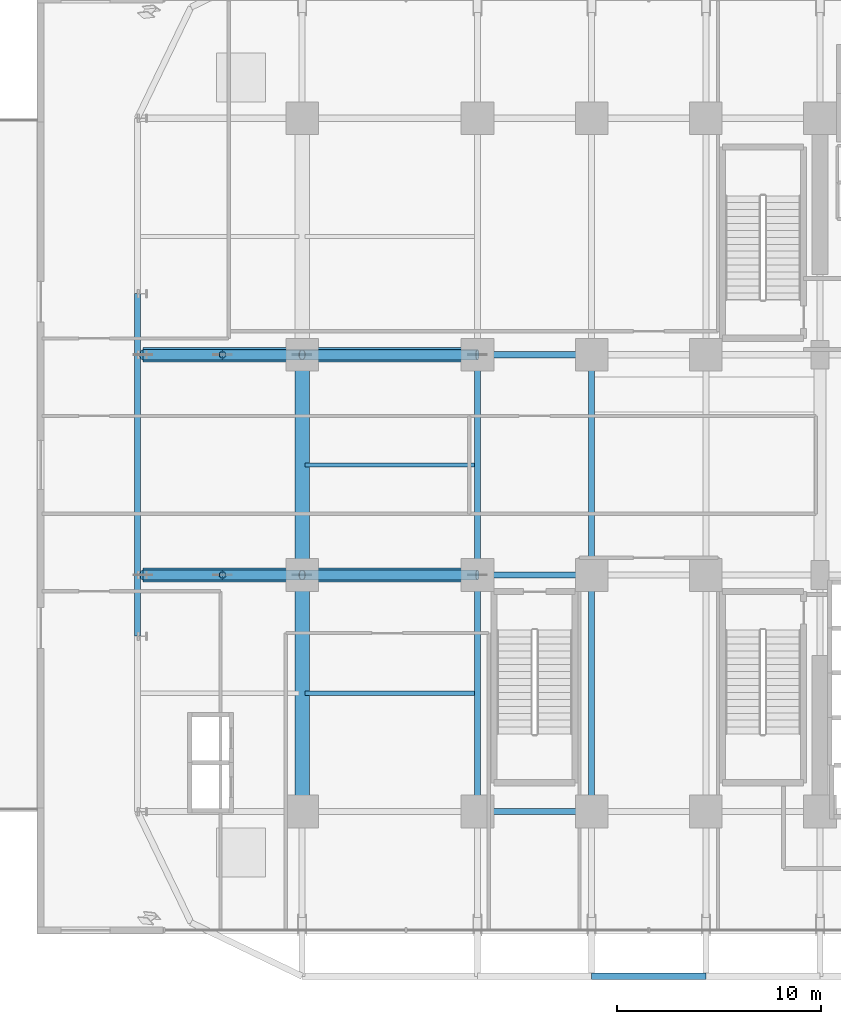
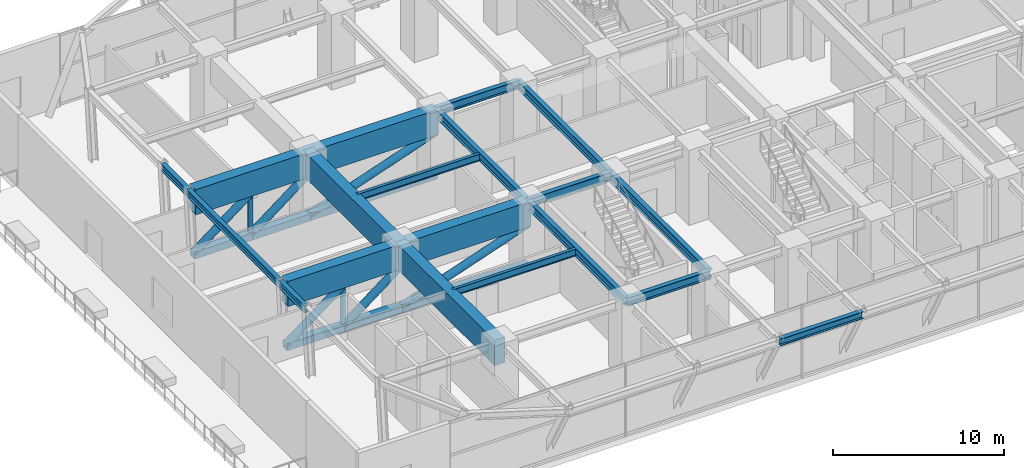
# One storey, part 5 of 29: 17 beams, 14 members.
"""IFC4 building model written with IfcOpenShell, lengths in metres."""

from ifc_helpers import new_model, si_unit, direction, frame, origin, origin_2d, place, context, subcontext, project, spatial, rectangle, hollow_rectangle, hollow_circle, i_section, extrude, source, transform, mapped, material, material_profile, profile_set, type_object, element, save


model = new_model("IFC4")

# Units and contexts
model_context = context("Model", 3, precision=1e-05, world=origin(), true_north=direction((0.0, 1.0)))
body_context = subcontext(model_context, "Body", "Model", "MODEL_VIEW")
ifc_project = project(units=[si_unit("LENGTHUNIT", "METRE"), si_unit("AREAUNIT", "SQUARE_METRE"), si_unit("VOLUMEUNIT", "CUBIC_METRE"), si_unit("PLANEANGLEUNIT", "RADIAN"), si_unit("MASSUNIT", "GRAM", prefix="KILO")], contexts=[model_context])

# Site, building, storey
site_placement = place(None, origin())
site = spatial("IfcSite", under=ifc_project, at=site_placement, CompositionType="ELEMENT")
building_placement = place(site_placement, origin())
building = spatial("IfcBuilding", under=site, at=building_placement, Name="Nahalor Promenade Grand Hotel", CompositionType="ELEMENT")
storey_placement = place(building_placement, frame((0.0, 0.0, 27.0)))
storey = spatial("IfcBuildingStorey", under=building, at=storey_placement, Name="L05", CompositionType="ELEMENT", Elevation=27.0)

# Beams
ifc_material_1 = material(Name="Steel S355JR", Category="steel")
ifc_material_profile_1 = material_profile(ifc_material_1, i_section(OverallWidth=0.3, OverallDepth=0.6, WebThickness=0.0155, FlangeThickness=0.03, at=origin_2d()), Name="HEB 600")
ifc_profile_set_1 = profile_set([ifc_material_profile_1], Name="Steel S355JR")
beam_type_1 = type_object("IfcBeamType", Name="Beam-Girder-HEB600", PredefinedType="BEAM", material=ifc_profile_set_1)
shared_shape_1 = source(origin(), body_context, "Body", "SweptSolid", [
    extrude(i_section(OverallWidth=0.3, OverallDepth=0.6, WebThickness=0.0155, FlangeThickness=0.03, at=origin_2d()), origin(), (0.0, 0.0, 1.0), 5.599853515625),
])
for number, where, z_axis, x_axis, name in (
    (1, (-8.39990234375, -17.0, 4.820068359375), (1.0, 0.0, 0.0), (0.0, 1.0, 0.0), "BM-L05-GX-0-2"),
    (2, (-8.39990234375, -5.39990234375, 4.820068359375), (1.0, 0.0, 0.0), (0.0, 1.0, 0.0), "BM-L05-GX-1-2"),
    (3, (-8.39990234375, 5.39990234375, 4.820068359375), (1.0, 0.0, 0.0), (0.0, 1.0, 0.0), "BM-L05-GX-2-2"),
):
    element("IfcBeam", number, at=place(storey_placement, frame(where, z_axis=z_axis, x_axis=x_axis)), inside=storey, type_object=beam_type_1, Name=name, PredefinedType="BEAM", context=body_context, shape_type="MappedRepresentation", body=[
        mapped(shared_shape_1, transform((0.0, 0.0, 0.0), scale=1.0)),
    ])
shared_shape_2 = source(origin(), body_context, "Body", "SweptSolid", [
    extrude(i_section(OverallWidth=0.3, OverallDepth=0.6, WebThickness=0.0155, FlangeThickness=0.03, at=origin_2d()), origin(), (0.0, 0.0, 1.0), 11.60009765625),
])
for number, where, z_axis, x_axis, name in (
    (4, (-8.39990234375, -17.0, 4.820068359375), (0.0, 1.0, 0.0), (-1.0, 0.0, 0.0), "BM-L05-GY-1-1"),
    (5, (-2.800048828125, -17.0, 4.820068359375), (0.0, 1.0, 0.0), (-1.0, 0.0, 0.0), "BM-L05-GY-2-1"),
):
    element("IfcBeam", number, at=place(storey_placement, frame(where, z_axis=z_axis, x_axis=x_axis)), inside=storey, type_object=beam_type_1, Name=name, PredefinedType="BEAM", context=body_context, shape_type="MappedRepresentation", body=[
        mapped(shared_shape_2, transform((0.0, 0.0, 0.0), scale=1.0)),
    ])
shared_shape_3 = source(origin(), body_context, "Body", "SweptSolid", [
    extrude(i_section(OverallWidth=0.3, OverallDepth=0.6, WebThickness=0.0155, FlangeThickness=0.03, at=origin_2d()), origin(), (0.0, 0.0, 1.0), 10.7998046875),
])
for number, where, z_axis, x_axis, name in (
    (6, (-8.39990234375, -5.39990234375, 4.820068359375), (0.0, 1.0, 0.0), (-1.0, 0.0, 0.0), "BM-L05-GY-1-2"),
    (7, (-2.800048828125, -5.39990234375, 4.820068359375), (0.0, 1.0, 0.0), (-1.0, 0.0, 0.0), "BM-L05-GY-2-2"),
):
    element("IfcBeam", number, at=place(storey_placement, frame(where, z_axis=z_axis, x_axis=x_axis)), inside=storey, type_object=beam_type_1, Name=name, PredefinedType="BEAM", context=body_context, shape_type="MappedRepresentation", body=[
        mapped(shared_shape_3, transform((0.0, 0.0, 0.0), scale=1.0)),
    ])
ifc_material_profile_2 = material_profile(ifc_material_1, i_section(OverallWidth=0.3, OverallDepth=0.5, WebThickness=0.0145, FlangeThickness=0.028, at=origin_2d()), Name="HEB 500")
ifc_profile_set_2 = profile_set([ifc_material_profile_2], Name="Steel S355JR")
beam_type_2 = type_object("IfcBeamType", Name="Beam-Spandrel-HEB500", PredefinedType="SPANDREL", material=ifc_profile_set_2)
shared_shape_4 = source(origin(), body_context, "Body", "SweptSolid", [
    extrude(i_section(OverallWidth=0.3, OverallDepth=0.5, WebThickness=0.0145, FlangeThickness=0.028, at=origin_2d()), origin(), (0.0, 0.0, 1.0), 5.60009765625),
])
beam_1_placement = place(storey_placement, frame((-2.800048828125, -25.080078125, 4.8701171875), z_axis=(1.0, 0.0, 0.0), x_axis=(0.0, 1.0, 0.0)))
element("IfcBeam", 8, at=beam_1_placement, inside=storey, type_object=beam_type_2, Name="BM-L05-SP-S-2", PredefinedType="SPANDREL", context=body_context, shape_type="MappedRepresentation", body=[
    mapped(shared_shape_4, transform((0.0, 0.0, 0.0), scale=1.0)),
])
shared_shape_5 = source(origin(), body_context, "Body", "SweptSolid", [
    extrude(i_section(OverallWidth=0.3, OverallDepth=0.5, WebThickness=0.0145, FlangeThickness=0.028, at=origin_2d()), origin(), (0.0, 0.0, 1.0), 3.0),
])
for number, where, z_axis, x_axis, name in (
    (9, (-25.080078125, -8.39990234375, 4.8701171875), (0.0, 1.0, 0.0), (-1.0, 0.0, 0.0), "BM-L05-SP-W-1"),
    (10, (-25.080078125, 5.39990234375, 4.8701171875), (0.0, 1.0, 0.0), (-1.0, 0.0, 0.0), "BM-L05-SP-W-3"),
):
    element("IfcBeam", number, at=place(storey_placement, frame(where, z_axis=z_axis, x_axis=x_axis)), inside=storey, type_object=beam_type_2, Name=name, PredefinedType="SPANDREL", context=body_context, shape_type="MappedRepresentation", body=[
        mapped(shared_shape_5, transform((0.0, 0.0, 0.0), scale=1.0)),
    ])
shared_shape_6 = source(origin(), body_context, "Body", "SweptSolid", [
    extrude(i_section(OverallWidth=0.3, OverallDepth=0.5, WebThickness=0.0145, FlangeThickness=0.028, at=origin_2d()), origin(), (0.0, 0.0, 1.0), 10.7998046875),
])
beam_2_placement = place(storey_placement, frame((-25.080078125, -5.39990234375, 4.8701171875), z_axis=(0.0, 1.0, 0.0), x_axis=(-1.0, 0.0, 0.0)))
element("IfcBeam", 11, at=beam_2_placement, inside=storey, type_object=beam_type_2, Name="BM-L05-SP-W-2", PredefinedType="SPANDREL", context=body_context, shape_type="MappedRepresentation", body=[
    mapped(shared_shape_6, transform((0.0, 0.0, 0.0), scale=1.0)),
])
ifc_material_profile_3 = material_profile(ifc_material_1, i_section(OverallWidth=0.2, OverallDepth=0.5, WebThickness=0.0102, FlangeThickness=0.016, at=origin_2d()), Name="IPE 500")
ifc_profile_set_3 = profile_set([ifc_material_profile_3], Name="Steel S355JR")
beam_type_3 = type_object("IfcBeamType", Name="Beam-Joist-IPE500", PredefinedType="JOIST", material=ifc_profile_set_3)
shared_shape_7 = source(origin(), body_context, "Body", "SweptSolid", [
    extrude(i_section(OverallWidth=0.2, OverallDepth=0.5, WebThickness=0.0102, FlangeThickness=0.016, at=origin_2d()), origin(), (0.0, 0.0, 1.0), 8.300048828125),
])
for number, where, z_axis, x_axis, name in (
    (12, (-16.85009765625, -11.199951171875, 4.8701171875), (1.0, 0.0, 0.0), (0.0, 1.0, 0.0), "BM-L05-JSW-0-1"),
    (13, (-16.85009765625, 0.0, 4.8701171875), (1.0, 0.0, 0.0), (0.0, 1.0, 0.0), "BM-L05-JSC-0"),
):
    element("IfcBeam", number, at=place(storey_placement, frame(where, z_axis=z_axis, x_axis=x_axis)), inside=storey, type_object=beam_type_3, Name=name, PredefinedType="JOIST", context=body_context, shape_type="MappedRepresentation", body=[
        mapped(shared_shape_7, transform((0.0, 0.0, 0.0), scale=1.0)),
    ])
ifc_material_2 = material(Name="Concrete B-60 (C50/60)", Category="concrete")
ifc_material_profile_4 = material_profile(ifc_material_2, rectangle(XDim=0.7, YDim=1.8, at=origin_2d()), Name="RC 700x1800")
ifc_profile_set_4 = profile_set([ifc_material_profile_4], Name="Concrete B-60 (C50/60)")
beam_type_4 = type_object("IfcBeamType", Name="Beam-Transfer-RC1800", PredefinedType="BEAM", material=ifc_profile_set_4)
shared_shape_8 = source(origin(), body_context, "Body", "SweptSolid", [
    extrude(rectangle(XDim=0.7, YDim=1.8, at=origin_2d()), origin(), (0.0, 0.0, 1.0), 16.400146484375),
])
for number, where, z_axis, x_axis, name in (
    (14, (-24.800048828125, -5.39990234375, 4.219970703125), (1.0, 0.0, 0.0), (0.0, 1.0, 0.0), "BM-L05-TRG-W--5"),
    (15, (-24.800048828125, 5.39990234375, 4.219970703125), (1.0, 0.0, 0.0), (0.0, 1.0, 0.0), "BM-L05-TRG-W-+5"),
):
    element("IfcBeam", number, at=place(storey_placement, frame(where, z_axis=z_axis, x_axis=x_axis)), inside=storey, type_object=beam_type_4, Name=name, PredefinedType="BEAM", context=body_context, shape_type="MappedRepresentation", body=[
        mapped(shared_shape_8, transform((0.0, 0.0, 0.0), scale=1.0)),
    ])
shared_shape_9 = source(origin(), body_context, "Body", "SweptSolid", [
    extrude(rectangle(XDim=0.7, YDim=1.8, at=origin_2d()), origin(), (0.0, 0.0, 1.0), 11.60009765625),
])
beam_3_placement = place(storey_placement, frame((-17.0, -17.0, 4.219970703125), z_axis=(0.0, 1.0, 0.0), x_axis=(-1.0, 0.0, 0.0)))
element("IfcBeam", 16, at=beam_3_placement, inside=storey, type_object=beam_type_4, Name="BM-L05-TRY-1--17", PredefinedType="BEAM", context=body_context, shape_type="MappedRepresentation", body=[
    mapped(shared_shape_9, transform((0.0, 0.0, 0.0), scale=1.0)),
])
shared_shape_10 = source(origin(), body_context, "Body", "SweptSolid", [
    extrude(rectangle(XDim=0.7, YDim=1.8, at=origin_2d()), origin(), (0.0, 0.0, 1.0), 10.7998046875),
])
beam_4_placement = place(storey_placement, frame((-17.0, -5.39990234375, 4.219970703125), z_axis=(0.0, 1.0, 0.0), x_axis=(-1.0, 0.0, 0.0)))
element("IfcBeam", 17, at=beam_4_placement, inside=storey, type_object=beam_type_4, Name="BM-L05-TRY-2--17", PredefinedType="BEAM", context=body_context, shape_type="MappedRepresentation", body=[
    mapped(shared_shape_10, transform((0.0, 0.0, 0.0), scale=1.0)),
])

# Members
ifc_material_3 = material(Name="Steel S355J2", Category="steel")
ifc_material_profile_5 = material_profile(ifc_material_3, hollow_rectangle(XDim=0.5, YDim=0.5, WallThickness=0.032, at=origin_2d()), Name="SHS 500x500x32")
ifc_profile_set_5 = profile_set([ifc_material_profile_5], Name="Steel S355J2")
member_type_1 = type_object("IfcMemberType", Name="Mem-Chord-SHS500", PredefinedType="CHORD", material=ifc_profile_set_5)
shared_shape_11 = source(origin(), body_context, "Body", "SweptSolid", [
    extrude(hollow_rectangle(XDim=0.5, YDim=0.5, WallThickness=0.032, at=origin_2d()), origin(), (0.0, 0.0, 1.0), 3.900146484375),
])
for number, where, z_axis, x_axis, name in (
    (18, (-24.800048828125, -5.39990234375, 0.35009765625), (1.0, 0.0, 0.0), (0.0, 1.0, 0.0), "TR-L05-1-BC0"),
    (19, (-24.800048828125, 5.39990234375, 0.35009765625), (1.0, 0.0, 0.0), (0.0, 1.0, 0.0), "TR-L05-2-BC0"),
):
    element("IfcMember", number, at=place(storey_placement, frame(where, z_axis=z_axis, x_axis=x_axis)), inside=storey, type_object=member_type_1, Name=name, PredefinedType="CHORD", context=body_context, shape_type="MappedRepresentation", body=[
        mapped(shared_shape_11, transform((0.0, 0.0, 0.0), scale=1.0)),
    ])
ifc_material_profile_6 = material_profile(ifc_material_3, hollow_circle(Radius=0.254, WallThickness=0.025, at=origin_2d()), Name="CHS 508x25")
ifc_profile_set_6 = profile_set([ifc_material_profile_6], Name="Steel S355J2")
member_type_2 = type_object("IfcMemberType", Name="Mem-OutDiag-CHS508", PredefinedType="BRACE", material=ifc_profile_set_6)
shared_shape_12 = source(origin(), body_context, "Body", "SweptSolid", [
    extrude(hollow_circle(Radius=0.254, WallThickness=0.025, at=origin_2d()), origin(), (0.0, 0.0, 1.0), 4.90234375),
])
for number, where, z_axis, x_axis, name in (
    (20, (-24.800048828125, -5.39990234375, 0.35009765625), (0.795586030245, 0.0, 0.605840629604), (0.0, 1.0, 0.0), "TR-L05-1-DG0"),
    (21, (-24.800048828125, 5.39990234375, 0.35009765625), (0.795586030245, 0.0, 0.605840629604), (0.0, 1.0, 0.0), "TR-L05-2-DG0"),
):
    element("IfcMember", number, at=place(storey_placement, frame(where, z_axis=z_axis, x_axis=x_axis)), inside=storey, type_object=member_type_2, Name=name, PredefinedType="BRACE", context=body_context, shape_type="MappedRepresentation", body=[
        mapped(shared_shape_12, transform((0.0, 0.0, 0.0), scale=1.0)),
    ])
shared_shape_13 = source(origin(), body_context, "Body", "SweptSolid", [
    extrude(hollow_rectangle(XDim=0.5, YDim=0.5, WallThickness=0.032, at=origin_2d()), origin(), (0.0, 0.0, 1.0), 3.89990234375),
])
for number, where, z_axis, x_axis, name in (
    (22, (-20.89990234375, -5.39990234375, 0.35009765625), (1.0, 0.0, 0.0), (0.0, 1.0, 0.0), "TR-L05-1-BC1"),
    (23, (-20.89990234375, 5.39990234375, 0.35009765625), (1.0, 0.0, 0.0), (0.0, 1.0, 0.0), "TR-L05-2-BC1"),
):
    element("IfcMember", number, at=place(storey_placement, frame(where, z_axis=z_axis, x_axis=x_axis)), inside=storey, type_object=member_type_1, Name=name, PredefinedType="CHORD", context=body_context, shape_type="MappedRepresentation", body=[
        mapped(shared_shape_13, transform((0.0, 0.0, 0.0), scale=1.0)),
    ])
shared_shape_14 = source(origin(), body_context, "Body", "SweptSolid", [
    extrude(hollow_circle(Radius=0.254, WallThickness=0.025, at=origin_2d()), origin(), (0.0, 0.0, 1.0), 4.902099609375),
])
for number, where, z_axis, x_axis, name in (
    (24, (-20.89990234375, -5.39990234375, 0.35009765625), (0.795567749711, 0.0, 0.605864634733), (0.0, 1.0, 0.0), "TR-L05-1-DG1"),
    (25, (-20.89990234375, 5.39990234375, 0.35009765625), (0.795567749711, 0.0, 0.605864634733), (0.0, 1.0, 0.0), "TR-L05-2-DG1"),
):
    element("IfcMember", number, at=place(storey_placement, frame(where, z_axis=z_axis, x_axis=x_axis)), inside=storey, type_object=member_type_2, Name=name, PredefinedType="BRACE", context=body_context, shape_type="MappedRepresentation", body=[
        mapped(shared_shape_14, transform((0.0, 0.0, 0.0), scale=1.0)),
    ])
shared_shape_15 = source(origin(), body_context, "Body", "SweptSolid", [
    extrude(hollow_rectangle(XDim=0.5, YDim=0.5, WallThickness=0.032, at=origin_2d()), origin(), (0.0, 0.0, 1.0), 8.60009765625),
])
for number, where, z_axis, x_axis, name in (
    (26, (-17.0, -5.39990234375, 0.35009765625), (1.0, 0.0, 0.0), (0.0, 1.0, 0.0), "TR-L05-1-BC2"),
    (27, (-17.0, 5.39990234375, 0.35009765625), (1.0, 0.0, 0.0), (0.0, 1.0, 0.0), "TR-L05-2-BC2"),
):
    element("IfcMember", number, at=place(storey_placement, frame(where, z_axis=z_axis, x_axis=x_axis)), inside=storey, type_object=member_type_1, Name=name, PredefinedType="CHORD", context=body_context, shape_type="MappedRepresentation", body=[
        mapped(shared_shape_15, transform((0.0, 0.0, 0.0), scale=1.0)),
    ])
shared_shape_16 = source(origin(), body_context, "Body", "SweptSolid", [
    extrude(hollow_circle(Radius=0.254, WallThickness=0.025, at=origin_2d()), origin(), (0.0, 0.0, 1.0), 9.098388671875),
])
for number, where, z_axis, x_axis, name in (
    (28, (-17.0, -5.39990234375, 0.35009765625), (0.94522317542, 0.0, 0.326424797848), (0.0, 1.0, 0.0), "TR-L05-1-DG2"),
    (29, (-17.0, 5.39990234375, 0.35009765625), (0.94522317542, 0.0, 0.326424797848), (0.0, 1.0, 0.0), "TR-L05-2-DG2"),
):
    element("IfcMember", number, at=place(storey_placement, frame(where, z_axis=z_axis, x_axis=x_axis)), inside=storey, type_object=member_type_2, Name=name, PredefinedType="BRACE", context=body_context, shape_type="MappedRepresentation", body=[
        mapped(shared_shape_16, transform((0.0, 0.0, 0.0), scale=1.0)),
    ])
ifc_material_profile_7 = material_profile(ifc_material_1, hollow_circle(Radius=0.16195, WallThickness=0.016, at=origin_2d()), Name="CHS 323.9x16")
ifc_profile_set_7 = profile_set([ifc_material_profile_7], Name="Steel S355JR")
member_type_3 = type_object("IfcMemberType", Name="Mem-TrussStrut-CHS324", PredefinedType="STRUT", material=ifc_profile_set_7)
shared_shape_17 = source(origin(), body_context, "Body", "SweptSolid", [
    extrude(hollow_circle(Radius=0.16195, WallThickness=0.016, at=origin_2d()), origin(), (0.0, 0.0, 1.0), 2.969970703125),
])
for number, where, z_axis, x_axis, name in (
    (30, (-20.89990234375, -5.39990234375, 0.35009765625), (0.0, 0.0, 1.0), (1.0, 0.0, 0.0), "TR-L05-1-VT0"),
    (31, (-20.89990234375, 5.39990234375, 0.35009765625), (0.0, 0.0, 1.0), (1.0, 0.0, 0.0), "TR-L05-2-VT0"),
):
    element("IfcMember", number, at=place(storey_placement, frame(where, z_axis=z_axis, x_axis=x_axis)), inside=storey, type_object=member_type_3, Name=name, PredefinedType="STRUT", context=body_context, shape_type="MappedRepresentation", body=[
        mapped(shared_shape_17, transform((0.0, 0.0, 0.0), scale=1.0)),
    ])

save(model, "model.ifc")
